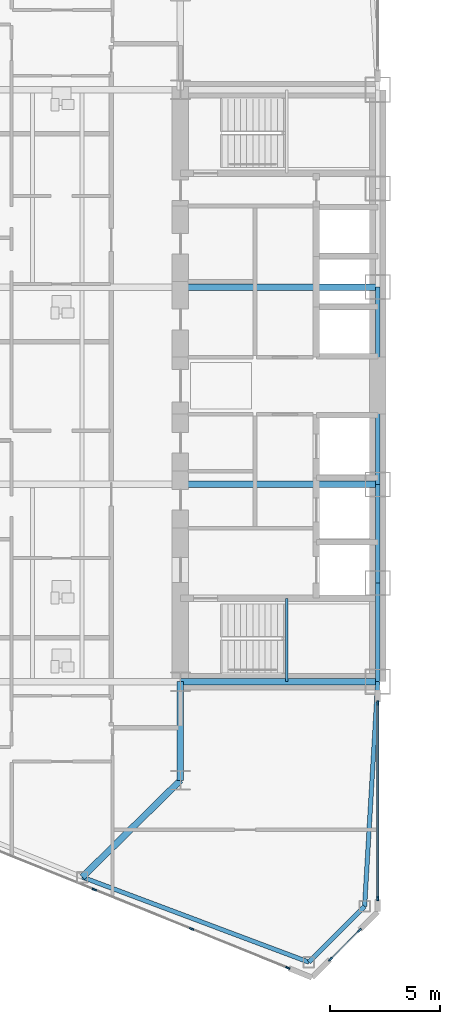
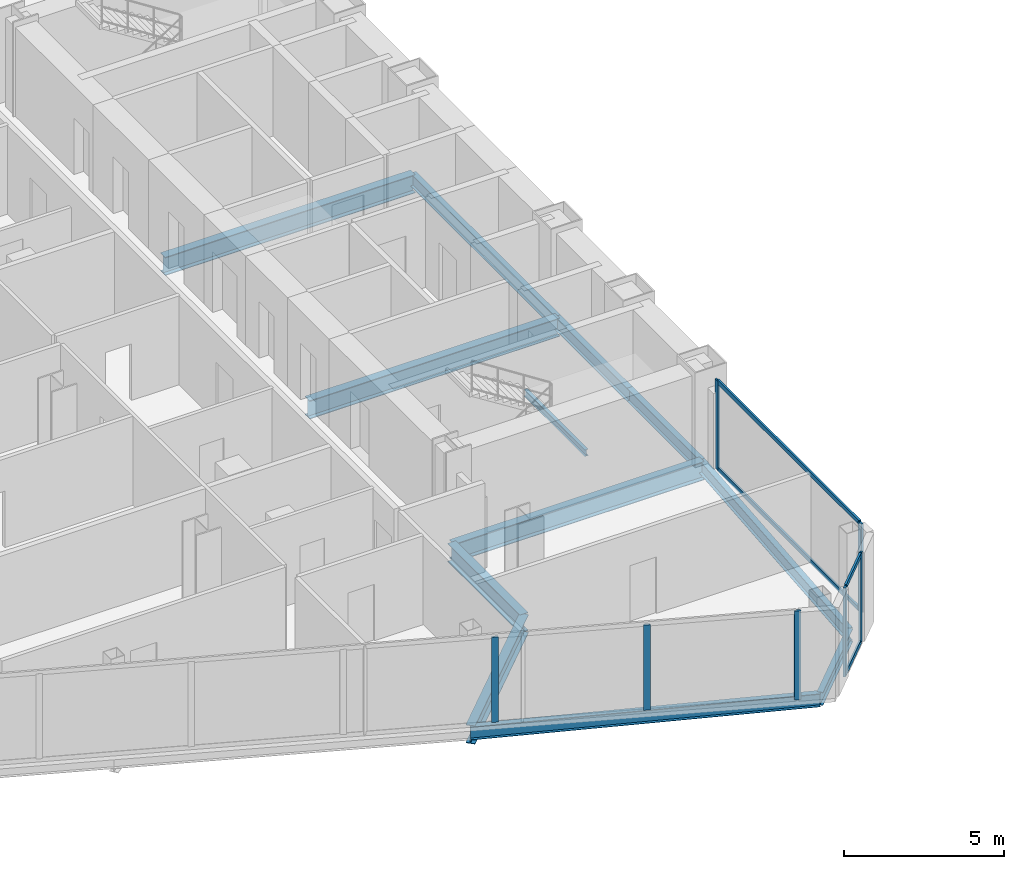
# One storey, part 5 of 25: 12 beams, 11 members, 3 elements without a shape of their own.
"""IFC4 building model written with IfcOpenShell, lengths in metres."""

from ifc_helpers import new_model, si_unit, direction, frame, origin, origin_2d, place, context, subcontext, project, spatial, rectangle, i_section, extrude, source, transform, mapped, material, layer, layer_set, material_profile, profile_set, type_object, type_shapes, element, aggregate, save


model = new_model("IFC4")

# Units and contexts
model_context = context("Model", 3, precision=1e-05, world=origin(), true_north=direction((0.0, 1.0)))
body_context = subcontext(model_context, "Body", "Model", "MODEL_VIEW")
ifc_project = project(units=[si_unit("LENGTHUNIT", "METRE"), si_unit("AREAUNIT", "SQUARE_METRE"), si_unit("VOLUMEUNIT", "CUBIC_METRE"), si_unit("PLANEANGLEUNIT", "RADIAN"), si_unit("MASSUNIT", "GRAM", prefix="KILO")], contexts=[model_context])

# Site, building, storey
site_placement = place(None, origin())
site = spatial("IfcSite", under=ifc_project, at=site_placement, CompositionType="ELEMENT")
building_placement = place(site_placement, origin())
building = spatial("IfcBuilding", under=site, at=building_placement, Name="Seokmaru Belvedere", CompositionType="ELEMENT")
storey_placement = place(building_placement, frame((0.0, 0.0, 26.10009765625)))
storey = spatial("IfcBuildingStorey", under=building, at=storey_placement, Name="L06", CompositionType="ELEMENT", Elevation=26.10009765625)

# Beams
ifc_material_1 = material(Name="Steel SM355 (355 MPa)", Category="steel")
ifc_material_profile_1 = material_profile(ifc_material_1, i_section(OverallWidth=0.199951171875, OverallDepth=0.5, WebThickness=0.010009765625, FlangeThickness=0.01611328125, at=origin_2d()), Name="H-500x200x10x16")
ifc_profile_set_1 = profile_set([ifc_material_profile_1], Name="Steel SM355 (355 MPa)")
beam_type_1 = type_object("IfcBeamType", Name="Perimeter Spandrel Beam H-500", PredefinedType="SPANDREL", material=ifc_profile_set_1)
shared_shape_1 = source(origin(), body_context, "Body", "SweptSolid", [
    extrude(i_section(OverallWidth=0.199951171875, OverallDepth=0.5, WebThickness=0.010009765625, FlangeThickness=0.01611328125, at=origin_2d()), origin(), (0.0, 0.0, 1.0), 4.5),
])
for number, where, z_axis, x_axis, name in (
    (1, (-27.5, -13.5, -0.47021484375), (0.0, 1.0, 0.0), (-1.0, 0.0, 0.0), "L06 W Portal Spine Spandrel 1"),
    (2, (-27.5, -9.0, -0.47021484375), (0.0, 1.0, 0.0), (-1.0, 0.0, 0.0), "L06 W Portal Spine Spandrel 2"),
):
    element("IfcBeam", number, at=place(storey_placement, frame(where, z_axis=z_axis, x_axis=x_axis)), inside=storey, type_object=beam_type_1, Name=name, PredefinedType="SPANDREL", context=body_context, shape_type="MappedRepresentation", body=[
        mapped(shared_shape_1, transform((0.0, 0.0, 0.0), scale=1.0)),
    ])
shared_shape_2 = source(origin(), body_context, "Body", "SweptSolid", [
    extrude(i_section(OverallWidth=0.199951171875, OverallDepth=0.5, WebThickness=0.010009765625, FlangeThickness=0.01611328125, at=origin_2d()), origin(), (0.0, 0.0, 1.0), 9.0),
])
beam_1_placement = place(storey_placement, frame((-27.5, -4.5, -0.47021484375), z_axis=(0.0, 1.0, 0.0), x_axis=(-1.0, 0.0, 0.0)))
element("IfcBeam", 3, at=beam_1_placement, inside=storey, type_object=beam_type_1, Name="L06 W Portal Spine Spandrel 3", PredefinedType="SPANDREL", context=body_context, shape_type="MappedRepresentation", body=[
    mapped(shared_shape_2, transform((0.0, 0.0, 0.0), scale=1.0)),
])
ifc_material_profile_2 = material_profile(ifc_material_1, i_section(OverallWidth=0.300048828125, OverallDepth=0.699951171875, WebThickness=0.012939453125, FlangeThickness=0.02392578125, at=origin_2d()), Name="H-700x300x13x24")
ifc_profile_set_2 = profile_set([ifc_material_profile_2], Name="Steel SM355 (355 MPa)")
beam_type_2 = type_object("IfcBeamType", Name="Primary Floor Girder H-700", PredefinedType="BEAM", material=ifc_profile_set_2)
shared_shape_3 = source(origin(), body_context, "Body", "SweptSolid", [
    extrude(i_section(OverallWidth=0.300048828125, OverallDepth=0.699951171875, WebThickness=0.012939453125, FlangeThickness=0.02392578125, at=origin_2d()), origin(), (0.0, 0.0, 1.0), 4.5),
])
beam_2_placement = place(storey_placement, frame((-36.5, -18.0, -0.570068359375), z_axis=(0.0, 1.0, 0.0), x_axis=(-1.0, 0.0, 0.0)))
element("IfcBeam", 4, at=beam_2_placement, inside=storey, type_object=beam_type_2, Name="L06 W Core Shoulder Girder S", PredefinedType="BEAM", context=body_context, shape_type="MappedRepresentation", body=[
    mapped(shared_shape_3, transform((0.0, 0.0, 0.0), scale=1.0)),
])
shared_shape_4 = source(origin(), body_context, "Body", "SweptSolid", [
    extrude(i_section(OverallWidth=0.300048828125, OverallDepth=0.699951171875, WebThickness=0.012939453125, FlangeThickness=0.02392578125, at=origin_2d()), origin(), (0.0, 0.0, 1.0), 9.0),
])
for number, where, z_axis, x_axis, name in (
    (5, (-36.5, -13.5, -0.570068359375), (1.0, 0.0, 0.0), (0.0, 1.0, 0.0), "L06 W Core Tie Girder 1"),
    (6, (-36.5, -4.5, -0.570068359375), (1.0, 0.0, 0.0), (0.0, 1.0, 0.0), "L06 W Core Tie Girder 2"),
    (7, (-36.5, 4.5, -0.570068359375), (1.0, 0.0, 0.0), (0.0, 1.0, 0.0), "L06 W Core Tie Girder 3"),
):
    element("IfcBeam", number, at=place(storey_placement, frame(where, z_axis=z_axis, x_axis=x_axis)), inside=storey, type_object=beam_type_2, Name=name, PredefinedType="BEAM", context=body_context, shape_type="MappedRepresentation", body=[
        mapped(shared_shape_4, transform((0.0, 0.0, 0.0), scale=1.0)),
    ])
shared_shape_5 = source(origin(), body_context, "Body", "SweptSolid", [
    extrude(i_section(OverallWidth=0.199951171875, OverallDepth=0.5, WebThickness=0.010009765625, FlangeThickness=0.01611328125, at=origin_2d()), origin(), (0.0, 0.0, 1.0), 11.03857421875),
])
beam_3_placement = place(storey_placement, frame((-30.643310546875, -26.294677734375, -0.47021484375), z_axis=(-0.936169110734, 0.351549990907, 0.0), x_axis=(-0.351549990907, -0.936169110734, 0.0)))
element("IfcBeam", 8, at=beam_3_placement, inside=storey, type_object=beam_type_1, Name="L06 W Faceted Flank Spandrel S-1", PredefinedType="SPANDREL", context=body_context, shape_type="MappedRepresentation", body=[
    mapped(shared_shape_5, transform((0.0, 0.0, 0.0), scale=1.0)),
])
shared_shape_6 = source(origin(), body_context, "Body", "SweptSolid", [
    extrude(i_section(OverallWidth=0.199951171875, OverallDepth=0.5, WebThickness=0.010009765625, FlangeThickness=0.01611328125, at=origin_2d()), origin(), (0.0, 0.0, 1.0), 3.5966796875),
])
beam_4_placement = place(storey_placement, frame((-30.643310546875, -26.294677734375, -0.47021484375), z_axis=(0.707106781187, 0.707106781187, 0.0), x_axis=(-0.707106781187, 0.707106781187, 0.0)))
element("IfcBeam", 9, at=beam_4_placement, inside=storey, type_object=beam_type_1, Name="L06 W Shoulder Chamfer Spandrel S", PredefinedType="SPANDREL", context=body_context, shape_type="MappedRepresentation", body=[
    mapped(shared_shape_6, transform((0.0, 0.0, 0.0), scale=1.0)),
])
shared_shape_7 = source(origin(), body_context, "Body", "SweptSolid", [
    extrude(i_section(OverallWidth=0.199951171875, OverallDepth=0.5, WebThickness=0.010009765625, FlangeThickness=0.01611328125, at=origin_2d()), origin(), (0.0, 0.0, 1.0), 10.26904296875),
])
type_shapes(beam_type_1, [shared_shape_1, shared_shape_2, shared_shape_5, shared_shape_6, shared_shape_7])
beam_5_placement = place(storey_placement, frame((-28.10009765625, -23.75146484375, -0.47021484375), z_axis=(0.058437709399, 0.998291056817, 0.0), x_axis=(-0.998291056817, 0.058437709399, 0.0)))
element("IfcBeam", 10, at=beam_5_placement, inside=storey, type_object=beam_type_1, Name="L06 W Shoulder Spine Spandrel S", PredefinedType="SPANDREL", context=body_context, shape_type="MappedRepresentation", body=[
    mapped(shared_shape_7, transform((0.0, 0.0, 0.0), scale=1.0)),
])
shared_shape_8 = source(origin(), body_context, "Body", "SweptSolid", [
    extrude(i_section(OverallWidth=0.300048828125, OverallDepth=0.699951171875, WebThickness=0.012939453125, FlangeThickness=0.02392578125, at=origin_2d()), origin(), (0.0, 0.0, 1.0), 6.287353515625),
])
type_shapes(beam_type_2, [shared_shape_3, shared_shape_4, shared_shape_8])
beam_6_placement = place(storey_placement, frame((-40.977294921875, -22.4140625, -0.570068359375), z_axis=(0.712117485263, 0.702060315915, 0.0), x_axis=(-0.702060315915, 0.712117485263, 0.0)))
element("IfcBeam", 11, at=beam_6_placement, inside=storey, type_object=beam_type_2, Name="L06 W Flank Radial Floor Girder S-1", PredefinedType="BEAM", context=body_context, shape_type="MappedRepresentation", body=[
    mapped(shared_shape_8, transform((0.0, 0.0, 0.0), scale=1.0)),
])

# Curtain wall, members
ifc_material_2 = material(Name="Bronze Triple Insulating Glass", Category="glass")
ifc_layer = layer(ifc_material_2, 0.2099609375)
ifc_layer_set = layer_set([ifc_layer], Name="Bronze Triple Insulating Glass")
curtain_wall_type = type_object("IfcCurtainWallType", Name="Low-Rise Faceted Crystal Curtain Wall System CW-2", PredefinedType="NOTDEFINED", material=ifc_layer_set)
curtain_wall_1_placement = place(storey_placement, origin())
curtain_wall_1 = element("IfcCurtainWall", 12, at=curtain_wall_1_placement, inside=storey, type_object=curtain_wall_type, Name="L06 Curtain Wall WSP_1", PredefinedType="NOTDEFINED")
ifc_material_3 = material(Name="Anodised Bronze Aluminium", Category="aluminium")
ifc_material_profile_3 = material_profile(ifc_material_3, rectangle(XDim=0.070068359375, YDim=0.1650390625, at=origin_2d()), Name="CW-T-70x165")
ifc_profile_set_3 = profile_set([ifc_material_profile_3], Name="Anodised Bronze Aluminium")
member_type_1 = type_object("IfcMemberType", Name="Bronze Unitised Transom 70x165", PredefinedType="USERDEFINED", material=ifc_profile_set_3)
shared_shape_9 = source(origin(), body_context, "Body", "SweptSolid", [
    extrude(rectangle(XDim=0.070068359375, YDim=0.1650390625, at=origin_2d()), origin(), (0.0, 0.0, 1.0), 8.85009765625),
])
member_1_placement = place(storey_placement, frame((-27.5, -23.35498046875, 0.034912109375), z_axis=(0.0, 1.0, 0.0), x_axis=(-1.0, 0.0, 0.0)))
member_1 = element("IfcMember", 13, at=member_1_placement, type_object=member_type_1, Name="CW:L06:WSP_1 Continuous Transom 1", ObjectType="TRANSOM", PredefinedType="USERDEFINED", context=body_context, shape_type="MappedRepresentation", body=[
    mapped(shared_shape_9, transform((0.0, 0.0, 0.0), scale=1.0)),
])
member_2_placement = place(storey_placement, frame((-27.5, -23.35498046875, 3.344970703125), z_axis=(0.0, 1.0, 0.0), x_axis=(-1.0, 0.0, 0.0)))
member_2 = element("IfcMember", 14, at=member_2_placement, type_object=member_type_1, Name="CW:L06:WSP_1 Continuous Transom 2", ObjectType="TRANSOM", PredefinedType="USERDEFINED", context=body_context, shape_type="MappedRepresentation", body=[
    mapped(shared_shape_9, transform((0.0, 0.0, 0.0), scale=1.0)),
])

curtain_wall_2_placement = place(storey_placement, origin())
curtain_wall_2 = element("IfcCurtainWall", 15, at=curtain_wall_2_placement, inside=storey, type_object=curtain_wall_type, Name="L06 Curtain Wall WF6", PredefinedType="NOTDEFINED")
shared_shape_10 = source(origin(), body_context, "Body", "SweptSolid", [
    extrude(rectangle(XDim=0.070068359375, YDim=0.1650390625, at=origin_2d()), origin(), (0.0, 0.0, 1.0), 1.792724609375),
])
type_shapes(member_type_1, [shared_shape_9, shared_shape_10])
member_3_placement = place(storey_placement, frame((-29.6337890625, -26.1337890625, 0.034912109375), z_axis=(0.707106781187, 0.707106781187, 0.0), x_axis=(-0.707106781187, 0.707106781187, 0.0)))
member_3 = element("IfcMember", 16, at=member_3_placement, type_object=member_type_1, Name="CW:L06:WF6 Continuous Transom 1", ObjectType="TRANSOM", PredefinedType="USERDEFINED", context=body_context, shape_type="MappedRepresentation", body=[
    mapped(shared_shape_10, transform((0.0, 0.0, 0.0), scale=1.0)),
])
member_4_placement = place(storey_placement, frame((-29.6337890625, -26.1337890625, 3.344970703125), z_axis=(0.707106781187, 0.707106781187, 0.0), x_axis=(-0.707106781187, 0.707106781187, 0.0)))
member_4 = element("IfcMember", 17, at=member_4_placement, type_object=member_type_1, Name="CW:L06:WF6 Continuous Transom 2", ObjectType="TRANSOM", PredefinedType="USERDEFINED", context=body_context, shape_type="MappedRepresentation", body=[
    mapped(shared_shape_10, transform((0.0, 0.0, 0.0), scale=1.0)),
])

curtain_wall_3_placement = place(storey_placement, origin())
curtain_wall_3 = element("IfcCurtainWall", 18, at=curtain_wall_3_placement, inside=storey, type_object=curtain_wall_type, Name="L06 Curtain Wall WF5", PredefinedType="NOTDEFINED")
ifc_material_profile_4 = material_profile(ifc_material_3, rectangle(XDim=0.074951171875, YDim=0.2099609375, at=origin_2d()), Name="CW-M-75x210")
ifc_profile_set_4 = profile_set([ifc_material_profile_4], Name="Anodised Bronze Aluminium")
member_type_2 = type_object("IfcMemberType", Name="Bronze Unitised Mullion 75x210", PredefinedType="MULLION", material=ifc_profile_set_4)
shared_shape_11 = source(origin(), body_context, "Body", "SweptSolid", [
    extrude(rectangle(XDim=0.074951171875, YDim=0.2099609375, at=origin_2d()), origin(), (0.0, 0.0, 1.0), 3.239990234375),
])
member_5_placement = place(storey_placement, frame((-40.425537109375, -22.982421875, 0.06982421875), z_axis=(0.0, 0.0, 1.0), x_axis=(0.375192321888, 0.926946989637, 0.0)))
member_5 = element("IfcMember", 19, at=member_5_placement, type_object=member_type_2, Name="CW:L06:WF5 Mullion 8", PredefinedType="MULLION", context=body_context, shape_type="MappedRepresentation", body=[
    mapped(shared_shape_11, transform((0.0, 0.0, 0.0), scale=1.0)),
])
member_6_placement = place(storey_placement, frame((-35.995849609375, -24.775390625, 0.06982421875), z_axis=(0.0, 0.0, 1.0), x_axis=(0.375192321888, 0.926946989637, 0.0)))
member_6 = element("IfcMember", 20, at=member_6_placement, type_object=member_type_2, Name="CW:L06:WF5 Mullion 9", PredefinedType="MULLION", context=body_context, shape_type="MappedRepresentation", body=[
    mapped(shared_shape_11, transform((0.0, 0.0, 0.0), scale=1.0)),
])

# Member
shared_shape_12 = source(origin(), body_context, "Body", "SweptSolid", [
    extrude(rectangle(XDim=0.074951171875, YDim=0.2099609375, at=origin_2d()), origin(), (0.0, 0.0, 1.0), 3.3798828125),
])
type_shapes(member_type_2, [shared_shape_11, shared_shape_12])
member_7_placement = place(storey_placement, frame((-27.5, -23.392578125, 0.0), z_axis=(0.0, 0.0, 1.0), x_axis=(-1.0, 0.0, 0.0)))
member_7 = element("IfcMember", 21, at=member_7_placement, type_object=member_type_2, Name="CW:L06:WSP_1 Mullion 1", PredefinedType="MULLION", context=body_context, shape_type="MappedRepresentation", body=[
    mapped(shared_shape_12, transform((0.0, 0.0, 0.0), scale=1.0)),
])

member_8_placement = place(storey_placement, frame((-27.5, -14.467529296875, 0.0), z_axis=(0.0, 0.0, 1.0), x_axis=(-1.0, 0.0, 0.0)))
member_8 = element("IfcMember", 22, at=member_8_placement, type_object=member_type_2, Name="CW:L06:WSP_1 Mullion 2", PredefinedType="MULLION", context=body_context, shape_type="MappedRepresentation", body=[
    mapped(shared_shape_12, transform((0.0, 0.0, 0.0), scale=1.0)),
])

aggregate(curtain_wall_1, [member_7, member_8, member_1, member_2])

member_9_placement = place(storey_placement, frame((-31.600830078125, -26.554443359375, 0.0), z_axis=(0.0, 0.0, 1.0), x_axis=(0.375192321888, 0.926946989637, 0.0)))
member_9 = element("IfcMember", 23, at=member_9_placement, type_object=member_type_2, Name="CW:L06:WF5 Mullion 10", PredefinedType="MULLION", context=body_context, shape_type="MappedRepresentation", body=[
    mapped(shared_shape_12, transform((0.0, 0.0, 0.0), scale=1.0)),
])

aggregate(curtain_wall_3, [member_5, member_6, member_9])

member_10_placement = place(storey_placement, frame((-29.660400390625, -26.160400390625, 0.0), z_axis=(0.0, 0.0, 1.0), x_axis=(-0.707106781187, 0.707106781187, 0.0)))
member_10 = element("IfcMember", 24, at=member_10_placement, type_object=member_type_2, Name="CW:L06:WF6 Mullion 1", PredefinedType="MULLION", context=body_context, shape_type="MappedRepresentation", body=[
    mapped(shared_shape_12, transform((0.0, 0.0, 0.0), scale=1.0)),
])

member_11_placement = place(storey_placement, frame((-28.339599609375, -24.839599609375, 0.0), z_axis=(0.0, 0.0, 1.0), x_axis=(-0.707106781187, 0.707106781187, 0.0)))
member_11 = element("IfcMember", 25, at=member_11_placement, type_object=member_type_2, Name="CW:L06:WF6 Mullion 2", PredefinedType="MULLION", context=body_context, shape_type="MappedRepresentation", body=[
    mapped(shared_shape_12, transform((0.0, 0.0, 0.0), scale=1.0)),
])

aggregate(curtain_wall_2, [member_10, member_11, member_3, member_4])

# Beam
ifc_material_profile_5 = material_profile(ifc_material_1, i_section(OverallWidth=0.125, OverallDepth=0.25, WebThickness=0.006103515625, FlangeThickness=0.009033203125, at=origin_2d()), Name="H-250x125x6x9")
ifc_profile_set_5 = profile_set([ifc_material_profile_5], Name="Steel SM355 (355 MPa)")
beam_type_3 = type_object("IfcBeamType", Name="Stair Mid-Landing Support Beam H-250", PredefinedType="JOIST", material=ifc_profile_set_5)
shared_shape_13 = source(origin(), body_context, "Body", "SweptSolid", [
    extrude(i_section(OverallWidth=0.125, OverallDepth=0.25, WebThickness=0.006103515625, FlangeThickness=0.009033203125, at=origin_2d()), origin(), (0.0, 0.0, 1.0), 3.800048828125),
])
type_shapes(beam_type_3, [shared_shape_13])
beam_7_placement = place(storey_placement, frame((-31.64990234375, -13.5, 1.474853515625), z_axis=(0.0, 1.0, 0.0), x_axis=(-1.0, 0.0, 0.0)))
element("IfcBeam", 26, at=beam_7_placement, inside=storey, type_object=beam_type_3, Name="L06 Stair ST-W1 Mid-Landing Support Beam 1", PredefinedType="JOIST", context=body_context, shape_type="MappedRepresentation", body=[
    mapped(shared_shape_13, transform((0.0, 0.0, 0.0), scale=1.0)),
])

save(model, "model.ifc")
